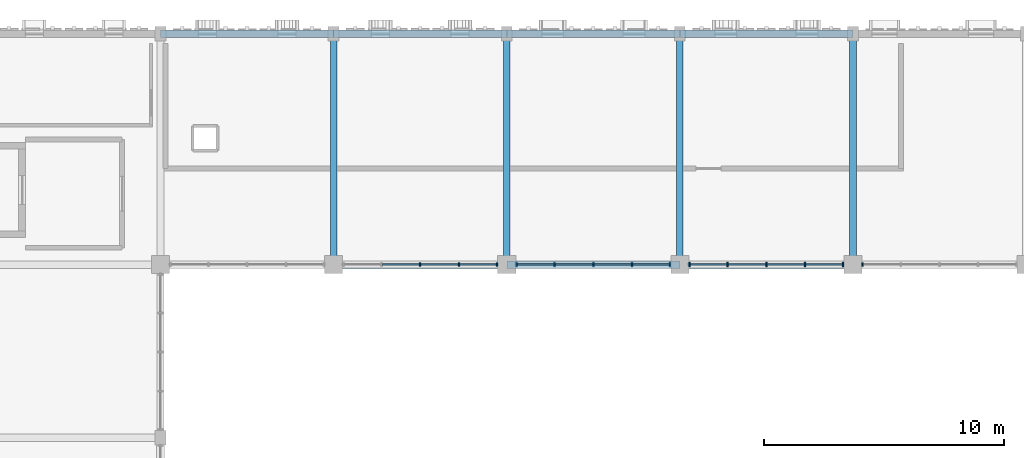
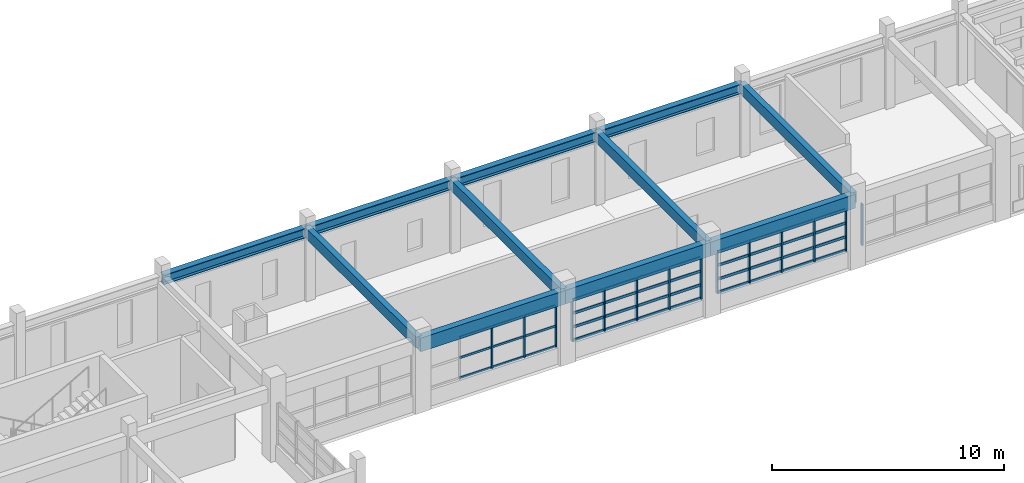
# One storey, part 24 of 69: 55 members, 11 beams, 4 elements without a shape of their own.
"""IFC4 building model written with IfcOpenShell, lengths in metres."""

import ifcopenshell
import ifcopenshell.guid

model = None  # the IFC model being written
_history = None  # IfcOwnerHistory: only IFC2X3 demands one
_inside = {}  # id of a spatial element -> (the spatial element, [elements in it])
_under = {}  # id of a project, library or spatial element -> (it, [spatial elements below it])
_declared = {}  # id of a project -> (the project, [libraries it declares])
_typed = {}  # id of a type object -> (the type object, [elements of that type])
_made_of = {}  # id of a material, layer set ... -> (it, [elements and type objects made of it])


def new_model(schema):
    """Start an empty IFC model of exactly this schema.

    Asked for "IFC4X3", IfcOpenShell would pick the latest addendum, in which some entities
    have other attributes; the version numbers below select the first issue.
    IFC2X3 requires an IfcOwnerHistory on every rooted entity: one is made here for all.
    """
    global model, _history
    if schema == "IFC4X3":
        model = ifcopenshell.file(schema_version=(4, 3, 0, 0))
    else:
        model = ifcopenshell.file(schema=schema)
    _inside.clear()
    _under.clear()
    _declared.clear()
    _typed.clear()
    _made_of.clear()
    _history = None
    if model.schema == "IFC2X3":
        org = make("IfcOrganization", Name="unknown")
        user = make(
            "IfcPersonAndOrganization",
            ThePerson=make("IfcPerson", FamilyName="unknown"),
            TheOrganization=org,
        )
        app = make(
            "IfcApplication",
            ApplicationDeveloper=org,
            Version="unknown",
            ApplicationFullName="unknown",
            ApplicationIdentifier="unknown",
        )
        _history = make(
            "IfcOwnerHistory",
            OwningUser=user,
            OwningApplication=app,
            ChangeAction="ADDED",
            CreationDate=0,
        )
    return model


def make(cls, **values):
    """One entity of the class cls with the attributes given. An attribute that is None is left unset."""
    return model.create_entity(
        cls, **{name: value for name, value in values.items() if value is not None}
    )


def rooted(cls, **values):
    """An entity with a GlobalId (a new one), such as an element, a storey or a relation."""
    return make(cls, GlobalId=ifcopenshell.guid.new(), OwnerHistory=_history, **values)


def si_unit(unit_type, name, prefix=None):
    """IfcSIUnit, for example si_unit("LENGTHUNIT", "METRE", prefix="MILLI")."""
    return make("IfcSIUnit", UnitType=unit_type, Prefix=prefix, Name=name)


def assignment(units):
    """IfcUnitAssignment: the units of a project."""
    return None if units is None else make("IfcUnitAssignment", Units=units)


def point(xyz):
    """IfcCartesianPoint."""
    return None if xyz is None else make("IfcCartesianPoint", Coordinates=xyz)


def direction(xyz):
    """IfcDirection."""
    return None if xyz is None else make("IfcDirection", DirectionRatios=xyz)


def frame(location, z_axis=None, x_axis=None):
    """IfcAxis2Placement3D, a coordinate frame: its origin and axes. An axis left out is left unset."""
    return make(
        "IfcAxis2Placement3D",
        Location=point(location),
        Axis=direction(z_axis),
        RefDirection=direction(x_axis),
    )


def frame_2d(location, x_axis=None):
    """IfcAxis2Placement2D, a coordinate frame in the plane: its origin and x axis."""
    return make(
        "IfcAxis2Placement2D", Location=point(location), RefDirection=direction(x_axis)
    )


def origin():
    """The frame at (0, 0, 0) with its axes left unset."""
    return frame((0.0, 0.0, 0.0))


def origin_2d():
    """The frame at (0, 0) in the plane with its x axis left unset."""
    return frame_2d((0.0, 0.0))


def place(relative_to, where):
    """IfcLocalPlacement: puts the frame where relative to a parent placement (None: the world)."""
    return make(
        "IfcLocalPlacement", PlacementRelTo=relative_to, RelativePlacement=where
    )


def context(
    kind, dimensions, precision=None, world=None, true_north=None, identifier=None
):
    """IfcGeometricRepresentationContext, for example the 3D "Model" context."""
    return make(
        "IfcGeometricRepresentationContext",
        ContextIdentifier=identifier,
        ContextType=kind,
        CoordinateSpaceDimension=dimensions,
        Precision=precision,
        WorldCoordinateSystem=world,
        TrueNorth=true_north,
    )


def subcontext(parent, identifier, kind, view, scale=None):
    """IfcGeometricRepresentationSubContext, for example "Body" below "Model"."""
    return make(
        "IfcGeometricRepresentationSubContext",
        ContextIdentifier=identifier,
        ContextType=kind,
        ParentContext=parent,
        TargetScale=scale,
        TargetView=view,
    )


def project(units=None, contexts=None):
    """IfcProject with its units and contexts."""
    return rooted(
        "IfcProject",
        Name="project",
        RepresentationContexts=contexts,
        UnitsInContext=assignment(units),
    )


def spatial(cls, under=None, at=None, **own):
    """A site, building, storey or space (cls), placed at a placement, below another one or the project."""
    s = rooted(cls, ObjectPlacement=at, **own)
    if under is not None:
        _under.setdefault(under.id(), (under, []))[1].append(s)
    return s


def profile(cls, at=None, kind="AREA", **sizes):
    """A parametric profile (cls). Its sizes go by their IFC names, for example OverallWidth=200.0."""
    return make(cls, ProfileType=kind, Position=at, **sizes)


def rectangle(**sizes):
    """IfcRectangleProfileDef."""
    return profile("IfcRectangleProfileDef", **sizes)


def i_section(**sizes):
    """IfcIShapeProfileDef."""
    return profile("IfcIShapeProfileDef", **sizes)


def extrude(swept, where, along, depth):
    """IfcExtrudedAreaSolid: the profile swept, set in the frame where, extruded along a direction by depth."""
    return make(
        "IfcExtrudedAreaSolid",
        SweptArea=swept,
        Position=where,
        ExtrudedDirection=direction(along),
        Depth=depth,
    )


def shape(context_of_items, identifier, shape_type, items):
    """IfcShapeRepresentation: the items that make up one representation, for example the "Body"."""
    return make(
        "IfcShapeRepresentation",
        ContextOfItems=context_of_items,
        RepresentationIdentifier=identifier,
        RepresentationType=shape_type,
        Items=items,
    )


def material(Name=None, Category=None):
    """IfcMaterial."""
    return make("IfcMaterial", Name=Name, Category=Category)


def material_profile(
    of_material, cross_section, Name=None, Category=None, Priority=None
):
    """IfcMaterialProfile: a cross section and its material."""
    return make(
        "IfcMaterialProfile",
        Name=Name,
        Material=of_material,
        Profile=cross_section,
        Priority=Priority,
        Category=Category,
    )


def profile_set(profiles, Name=None, composite=None):
    """IfcMaterialProfileSet."""
    return make(
        "IfcMaterialProfileSet",
        Name=Name,
        MaterialProfiles=profiles,
        CompositeProfile=composite,
    )


def made_of(thing, what):
    """Note that an element or type object is made of a material, layer set ...; save() writes the relation."""
    if what is not None:
        _made_of.setdefault(what.id(), (what, []))[1].append(thing)
    return thing


def type_object(cls, material=None, **own):
    """A type object (cls), such as IfcWallType, which elements share."""
    return made_of(rooted(cls, **own), material)


def element(
    cls,
    number,
    at=None,
    inside=None,
    cuts=None,
    type_object=None,
    material=None,
    context=None,
    identifier="Body",
    shape_type=None,
    held_by="IfcProductDefinitionShape",
    body=None,
    shapes=None,
    **own,
):
    """One element of the class cls, such as IfcWall. Its Tag is "e" and its number.

    at: its placement. inside: the storey or other place that contains it. cuts: it is an
    opening in that element (IfcRelVoidsElement). A single representation is given by context,
    identifier, shape_type and body (its items); several are given by shapes. held_by: the class
    of the entity that holds the representations. save() writes the other relations.
    """
    e = rooted(cls, Tag="e%d" % number, ObjectPlacement=at, **own)
    if body is not None:
        shapes = [shape(context, identifier, shape_type, body)]
    if shapes is not None:
        e.Representation = make(held_by, Representations=shapes)
    if inside is not None:
        _inside.setdefault(inside.id(), (inside, []))[1].append(e)
    if cuts is not None:
        rooted(
            "IfcRelVoidsElement", RelatingBuildingElement=cuts, RelatedOpeningElement=e
        )
    if type_object is not None:
        _typed.setdefault(type_object.id(), (type_object, []))[1].append(e)
    return made_of(e, material)


def aggregate(whole, parts):
    """IfcRelAggregates: a whole, such as a stair, and the parts it consists of."""
    return rooted("IfcRelAggregates", RelatingObject=whole, RelatedObjects=parts)


def save(model, path):
    """Write the relations noted so far, then the file.

    IfcRelAggregates (storeys below a building ...), IfcRelContainedInSpatialStructure (elements
    in a storey), IfcRelDefinesByType, IfcRelAssociatesMaterial and IfcRelDeclares: one each for
    every whole, place, type object, material and project.
    """
    for whole, parts in _under.values():
        aggregate(whole, parts)
    for where, things in _inside.values():
        rooted(
            "IfcRelContainedInSpatialStructure",
            RelatedElements=things,
            RelatingStructure=where,
        )
    for kind, things in _typed.values():
        rooted("IfcRelDefinesByType", RelatedObjects=things, RelatingType=kind)
    for what, things in _made_of.values():
        rooted("IfcRelAssociatesMaterial", RelatedObjects=things, RelatingMaterial=what)
    for by, libraries in _declared.values():
        rooted("IfcRelDeclares", RelatingContext=by, RelatedDefinitions=libraries)
    model.write(path)


model = new_model("IFC4")

# Units and contexts
model_context = context("Model", 3, precision=1e-05, world=origin(), true_north=direction((0.0, 1.0)))
body_context = subcontext(model_context, "Body", "Model", "MODEL_VIEW")
ifc_project = project(units=[si_unit("LENGTHUNIT", "METRE"), si_unit("AREAUNIT", "SQUARE_METRE"), si_unit("VOLUMEUNIT", "CUBIC_METRE"), si_unit("PLANEANGLEUNIT", "RADIAN"), si_unit("MASSUNIT", "GRAM", prefix="KILO")], contexts=[model_context])

# Site, building, storey
site_placement = place(None, origin())
site = spatial("IfcSite", under=ifc_project, at=site_placement, CompositionType="ELEMENT")
building_placement = place(site_placement, origin())
building = spatial("IfcBuilding", under=site, at=building_placement, Name="Nzembalo Square Collegiate School", CompositionType="ELEMENT")
storey_placement = place(building_placement, frame((0.0, 0.0, 5.10009765625)))
storey = spatial("IfcBuildingStorey", under=building, at=storey_placement, Name="L01", CompositionType="ELEMENT", Elevation=5.10009765625)

# Beams
ifc_material_1 = material(Name="Glulam GL32h", Category="wood")
ifc_material_profile_1 = material_profile(ifc_material_1, rectangle(XDim=0.320068359375, YDim=0.719970703125, at=origin_2d()), Name="GL32h 320x720")
ifc_profile_set_1 = profile_set([ifc_material_profile_1], Name="Glulam GL32h")
beam_type_1 = type_object("IfcBeamType", Name="B03", PredefinedType="BEAM", material=ifc_profile_set_1)
beam_1_placement = place(storey_placement, frame((98.39990234375, 104.39990234375, 3.389892578125), z_axis=(1.0, 0.0, 0.0), x_axis=(0.0, 1.0, 0.0)))
element("IfcBeam", 1, at=beam_1_placement, inside=storey, type_object=beam_type_1, Name="Beam B03 L01", PredefinedType="BEAM", context=body_context, shape_type="SweptSolid", body=[
    extrude(rectangle(XDim=0.320068359375, YDim=0.719970703125, at=origin_2d()), origin(), (0.0, 0.0, 1.0), 7.2001953125),
])
for number, where, z_axis, x_axis, name in (
    (2, (105.60009765625, 104.39990234375, 3.389892578125), (1.0, 0.0, 0.0), (0.0, 1.0, 0.0), "Beam B03 L01"),
    (3, (112.800048828125, 104.39990234375, 3.389892578125), (1.0, 0.0, 0.0), (0.0, 1.0, 0.0), "Beam B03 L01"),
):
    element("IfcBeam", number, at=place(storey_placement, frame(where, z_axis=z_axis, x_axis=x_axis)), inside=storey, type_object=beam_type_1, Name=name, PredefinedType="BEAM", context=body_context, shape_type="SweptSolid", body=[
        extrude(rectangle(XDim=0.320068359375, YDim=0.719970703125, at=origin_2d()), origin(), (0.0, 0.0, 1.0), 7.199951171875),
    ])
ifc_material_2 = material(Name="Glulam GL28h", Category="wood")
ifc_material_profile_2 = material_profile(ifc_material_2, rectangle(XDim=0.280029296875, YDim=0.56005859375, at=origin_2d()), Name="GL28h 280x560")
ifc_profile_set_2 = profile_set([ifc_material_profile_2], Name="Glulam GL28h")
beam_type_2 = type_object("IfcBeamType", Name="B05", PredefinedType="BEAM", material=ifc_profile_set_2)
for number, where, z_axis, x_axis, name in (
    (4, (98.39990234375, 104.39990234375, 3.469970703125), (0.0, 1.0, 0.0), (-1.0, 0.0, 0.0), "Beam B05 L01"),
    (5, (105.60009765625, 104.39990234375, 3.469970703125), (0.0, 1.0, 0.0), (-1.0, 0.0, 0.0), "Beam B05 L01"),
    (6, (112.800048828125, 104.39990234375, 3.469970703125), (0.0, 1.0, 0.0), (-1.0, 0.0, 0.0), "Beam B05 L01"),
    (7, (120.0, 104.39990234375, 3.469970703125), (0.0, 1.0, 0.0), (-1.0, 0.0, 0.0), "Beam B05 L01"),
):
    element("IfcBeam", number, at=place(storey_placement, frame(where, z_axis=z_axis, x_axis=x_axis)), inside=storey, type_object=beam_type_2, Name=name, PredefinedType="BEAM", context=body_context, shape_type="SweptSolid", body=[
        extrude(rectangle(XDim=0.280029296875, YDim=0.56005859375, at=origin_2d()), origin(), (0.0, 0.0, 1.0), 9.60009765625),
    ])
ifc_material_3 = material(Name="Steel S355", Category="steel")
ifc_material_profile_3 = material_profile(ifc_material_3, i_section(OverallWidth=0.300048828125, OverallDepth=0.5, WebThickness=0.014404296875, FlangeThickness=0.028076171875, at=origin_2d()), Name="HEB 500")
ifc_profile_set_3 = profile_set([ifc_material_profile_3], Name="Steel S355")
beam_type_3 = type_object("IfcBeamType", Name="B07", PredefinedType="BEAM", material=ifc_profile_set_3)
beam_2_placement = place(storey_placement, frame((91.199951171875, 114.0, 3.5), z_axis=(1.0, 0.0, 0.0), x_axis=(0.0, 1.0, 0.0)))
element("IfcBeam", 8, at=beam_2_placement, inside=storey, type_object=beam_type_3, Name="Beam B07 L01", PredefinedType="BEAM", context=body_context, shape_type="SweptSolid", body=[
    extrude(i_section(OverallWidth=0.300048828125, OverallDepth=0.5, WebThickness=0.014404296875, FlangeThickness=0.028076171875, at=origin_2d()), origin(), (0.0, 0.0, 1.0), 7.199951171875),
])
beam_3_placement = place(storey_placement, frame((98.39990234375, 114.0, 3.5), z_axis=(1.0, 0.0, 0.0), x_axis=(0.0, 1.0, 0.0)))
element("IfcBeam", 9, at=beam_3_placement, inside=storey, type_object=beam_type_3, Name="Beam B07 L01", PredefinedType="BEAM", context=body_context, shape_type="SweptSolid", body=[
    extrude(i_section(OverallWidth=0.300048828125, OverallDepth=0.5, WebThickness=0.014404296875, FlangeThickness=0.028076171875, at=origin_2d()), origin(), (0.0, 0.0, 1.0), 7.2001953125),
])
for number, where, z_axis, x_axis, name in (
    (10, (105.60009765625, 114.0, 3.5), (1.0, 0.0, 0.0), (0.0, 1.0, 0.0), "Beam B07 L01"),
    (11, (112.800048828125, 114.0, 3.5), (1.0, 0.0, 0.0), (0.0, 1.0, 0.0), "Beam B07 L01"),
):
    element("IfcBeam", number, at=place(storey_placement, frame(where, z_axis=z_axis, x_axis=x_axis)), inside=storey, type_object=beam_type_3, Name=name, PredefinedType="BEAM", context=body_context, shape_type="SweptSolid", body=[
        extrude(i_section(OverallWidth=0.300048828125, OverallDepth=0.5, WebThickness=0.014404296875, FlangeThickness=0.028076171875, at=origin_2d()), origin(), (0.0, 0.0, 1.0), 7.199951171875),
    ])

# Curtain wall, members
ifc_material_4 = material(Name="Aluminium 6060-T66", Category="aluminium")
curtain_wall_type_1 = type_object("IfcCurtainWallType", Name="CW-05", PredefinedType="USERDEFINED", material=ifc_material_4)
curtain_wall_1_placement = place(storey_placement, origin())
curtain_wall_1 = element("IfcCurtainWall", 12, at=curtain_wall_1_placement, inside=storey, type_object=curtain_wall_type_1, Name="Curtain wall CW-05 cw:L01:076", ObjectType="LANCET", PredefinedType="USERDEFINED")
ifc_material_5 = material(Name="Aluminium 6060-T66", Category="aluminium")
ifc_material_profile_4 = material_profile(ifc_material_5, rectangle(XDim=0.06005859375, YDim=0.179931640625, at=origin_2d()), Name="ALU M60x180")
ifc_profile_set_4 = profile_set([ifc_material_profile_4], Name="Aluminium 6060-T66")
member_type_1 = type_object("IfcMemberType", Name="ML01", PredefinedType="MULLION", material=ifc_profile_set_4)
member_1_placement = place(storey_placement, frame((106.007080078125, 104.39990234375, 0.849853515625), z_axis=(0.0, 0.0, 1.0), x_axis=(1.0, 0.0, 0.0)))
member_1 = element("IfcMember", 13, at=member_1_placement, type_object=member_type_1, Name="ML01 mullion 1", PredefinedType="MULLION", context=body_context, shape_type="SweptSolid", body=[
    extrude(rectangle(XDim=0.06005859375, YDim=0.179931640625, at=origin_2d()), origin(), (0.0, 0.0, 1.0), 2.174072265625),
])
member_2_placement = place(storey_placement, frame((107.58837890625, 104.39990234375, 0.849853515625), z_axis=(0.0, 0.0, 1.0), x_axis=(1.0, 0.0, 0.0)))
member_2 = element("IfcMember", 14, at=member_2_placement, type_object=member_type_1, Name="ML01 mullion 2", PredefinedType="MULLION", context=body_context, shape_type="SweptSolid", body=[
    extrude(rectangle(XDim=0.06005859375, YDim=0.179931640625, at=origin_2d()), origin(), (0.0, 0.0, 1.0), 2.174072265625),
])
member_3_placement = place(storey_placement, frame((109.199951171875, 104.39990234375, 0.849853515625), z_axis=(0.0, 0.0, 1.0), x_axis=(1.0, 0.0, 0.0)))
member_3 = element("IfcMember", 15, at=member_3_placement, type_object=member_type_1, Name="ML01 mullion 3", PredefinedType="MULLION", context=body_context, shape_type="SweptSolid", body=[
    extrude(rectangle(XDim=0.06005859375, YDim=0.179931640625, at=origin_2d()), origin(), (0.0, 0.0, 1.0), 2.174072265625),
])
member_4_placement = place(storey_placement, frame((110.8115234375, 104.39990234375, 0.849853515625), z_axis=(0.0, 0.0, 1.0), x_axis=(1.0, 0.0, 0.0)))
member_4 = element("IfcMember", 16, at=member_4_placement, type_object=member_type_1, Name="ML01 mullion 4", PredefinedType="MULLION", context=body_context, shape_type="SweptSolid", body=[
    extrude(rectangle(XDim=0.06005859375, YDim=0.179931640625, at=origin_2d()), origin(), (0.0, 0.0, 1.0), 2.174072265625),
])
member_5_placement = place(storey_placement, frame((112.39306640625, 104.39990234375, 0.849853515625), z_axis=(0.0, 0.0, 1.0), x_axis=(1.0, 0.0, 0.0)))
member_5 = element("IfcMember", 17, at=member_5_placement, type_object=member_type_1, Name="ML01 mullion 5", PredefinedType="MULLION", context=body_context, shape_type="SweptSolid", body=[
    extrude(rectangle(XDim=0.06005859375, YDim=0.179931640625, at=origin_2d()), origin(), (0.0, 0.0, 1.0), 2.174072265625),
])

ifc_material_6 = material(Name="Aluminium 6060-T66", Category="aluminium")
curtain_wall_type_2 = type_object("IfcCurtainWallType", Name="CW-06", PredefinedType="USERDEFINED", material=ifc_material_6)
curtain_wall_2_placement = place(storey_placement, origin())
curtain_wall_2 = element("IfcCurtainWall", 18, at=curtain_wall_2_placement, inside=storey, type_object=curtain_wall_type_2, Name="Curtain wall CW-06 cw:L01:077", ObjectType="LANCET", PredefinedType="USERDEFINED")
member_6_placement = place(storey_placement, frame((113.20703125, 104.39990234375, 0.849853515625), z_axis=(0.0, 0.0, 1.0), x_axis=(1.0, 0.0, 0.0)))
member_6 = element("IfcMember", 19, at=member_6_placement, type_object=member_type_1, Name="ML01 mullion 1", PredefinedType="MULLION", context=body_context, shape_type="SweptSolid", body=[
    extrude(rectangle(XDim=0.06005859375, YDim=0.179931640625, at=origin_2d()), origin(), (0.0, 0.0, 1.0), 2.174072265625),
])
member_7_placement = place(storey_placement, frame((114.78857421875, 104.39990234375, 0.849853515625), z_axis=(0.0, 0.0, 1.0), x_axis=(1.0, 0.0, 0.0)))
member_7 = element("IfcMember", 20, at=member_7_placement, type_object=member_type_1, Name="ML01 mullion 2", PredefinedType="MULLION", context=body_context, shape_type="SweptSolid", body=[
    extrude(rectangle(XDim=0.06005859375, YDim=0.179931640625, at=origin_2d()), origin(), (0.0, 0.0, 1.0), 2.174072265625),
])
member_8_placement = place(storey_placement, frame((116.39990234375, 104.39990234375, 0.849853515625), z_axis=(0.0, 0.0, 1.0), x_axis=(1.0, 0.0, 0.0)))
member_8 = element("IfcMember", 21, at=member_8_placement, type_object=member_type_1, Name="ML01 mullion 3", PredefinedType="MULLION", context=body_context, shape_type="SweptSolid", body=[
    extrude(rectangle(XDim=0.06005859375, YDim=0.179931640625, at=origin_2d()), origin(), (0.0, 0.0, 1.0), 2.174072265625),
])
member_9_placement = place(storey_placement, frame((118.011474609375, 104.39990234375, 0.849853515625), z_axis=(0.0, 0.0, 1.0), x_axis=(1.0, 0.0, 0.0)))
member_9 = element("IfcMember", 22, at=member_9_placement, type_object=member_type_1, Name="ML01 mullion 4", PredefinedType="MULLION", context=body_context, shape_type="SweptSolid", body=[
    extrude(rectangle(XDim=0.06005859375, YDim=0.179931640625, at=origin_2d()), origin(), (0.0, 0.0, 1.0), 2.174072265625),
])
member_10_placement = place(storey_placement, frame((119.593017578125, 104.39990234375, 0.849853515625), z_axis=(0.0, 0.0, 1.0), x_axis=(1.0, 0.0, 0.0)))
member_10 = element("IfcMember", 23, at=member_10_placement, type_object=member_type_1, Name="ML01 mullion 5", PredefinedType="MULLION", context=body_context, shape_type="SweptSolid", body=[
    extrude(rectangle(XDim=0.06005859375, YDim=0.179931640625, at=origin_2d()), origin(), (0.0, 0.0, 1.0), 2.174072265625),
])

ifc_material_7 = material(Name="Aluminium 6060-T66", Category="aluminium")
curtain_wall_type_3 = type_object("IfcCurtainWallType", Name="CW-04", PredefinedType="USERDEFINED", material=ifc_material_7)
curtain_wall_3_placement = place(storey_placement, origin())
curtain_wall_3 = element("IfcCurtainWall", 24, at=curtain_wall_3_placement, inside=storey, type_object=curtain_wall_type_3, Name="Curtain wall CW-04 cw:L01:075", ObjectType="UNITISED", PredefinedType="USERDEFINED")
ifc_material_8 = material(Name="Aluminium 6060-T66", Category="aluminium")
ifc_material_profile_5 = material_profile(ifc_material_8, rectangle(XDim=0.06005859375, YDim=0.14990234375, at=origin_2d()), Name="ALU M60x150")
ifc_profile_set_5 = profile_set([ifc_material_profile_5], Name="Aluminium 6060-T66")
member_type_2 = type_object("IfcMemberType", Name="ML02", PredefinedType="MULLION", material=ifc_profile_set_5)
member_11_placement = place(storey_placement, frame((102.0, 104.39990234375, 0.849853515625), z_axis=(0.0, 0.0, 1.0), x_axis=(1.0, 0.0, 0.0)))
member_11 = element("IfcMember", 25, at=member_11_placement, type_object=member_type_2, Name="ML02 mullion 3", PredefinedType="MULLION", context=body_context, shape_type="SweptSolid", body=[
    extrude(rectangle(XDim=0.06005859375, YDim=0.14990234375, at=origin_2d()), origin(), (0.0, 0.0, 1.0), 2.174072265625),
])
member_12_placement = place(storey_placement, frame((103.611572265625, 104.39990234375, 0.849853515625), z_axis=(0.0, 0.0, 1.0), x_axis=(1.0, 0.0, 0.0)))
member_12 = element("IfcMember", 26, at=member_12_placement, type_object=member_type_2, Name="ML02 mullion 4", PredefinedType="MULLION", context=body_context, shape_type="SweptSolid", body=[
    extrude(rectangle(XDim=0.06005859375, YDim=0.14990234375, at=origin_2d()), origin(), (0.0, 0.0, 1.0), 2.174072265625),
])
member_13_placement = place(storey_placement, frame((105.193115234375, 104.39990234375, 0.849853515625), z_axis=(0.0, 0.0, 1.0), x_axis=(1.0, 0.0, 0.0)))
member_13 = element("IfcMember", 27, at=member_13_placement, type_object=member_type_2, Name="ML02 mullion 5", PredefinedType="MULLION", context=body_context, shape_type="SweptSolid", body=[
    extrude(rectangle(XDim=0.06005859375, YDim=0.14990234375, at=origin_2d()), origin(), (0.0, 0.0, 1.0), 2.174072265625),
])

# Curtain wall, member
ifc_material_9 = material(Name="Aluminium 6060-T66", Category="aluminium")
curtain_wall_type_4 = type_object("IfcCurtainWallType", Name="CW-07", PredefinedType="USERDEFINED", material=ifc_material_9)
curtain_wall_4_placement = place(storey_placement, origin())
curtain_wall_4 = element("IfcCurtainWall", 28, at=curtain_wall_4_placement, inside=storey, type_object=curtain_wall_type_4, Name="Curtain wall CW-07 cw:L01:078", ObjectType="LANCET", PredefinedType="USERDEFINED")
member_14_placement = place(storey_placement, frame((120.406982421875, 104.39990234375, 0.849853515625), z_axis=(0.0, 0.0, 1.0), x_axis=(1.0, 0.0, 0.0)))
member_14 = element("IfcMember", 29, at=member_14_placement, type_object=member_type_2, Name="ML02 mullion 1", PredefinedType="MULLION", context=body_context, shape_type="SweptSolid", body=[
    extrude(rectangle(XDim=0.06005859375, YDim=0.14990234375, at=origin_2d()), origin(), (0.0, 0.0, 1.0), 2.174072265625),
])
aggregate(curtain_wall_4, [member_14])

# Member
ifc_material_10 = material(Name="Aluminium 6060-T66", Category="aluminium")
ifc_material_profile_6 = material_profile(ifc_material_10, rectangle(XDim=0.06005859375, YDim=0.139892578125, at=origin_2d()), Name="ALU T60x140")
ifc_profile_set_6 = profile_set([ifc_material_profile_6], Name="Aluminium 6060-T66")
member_type_3 = type_object("IfcMemberType", Name="TR01", PredefinedType="USERDEFINED", material=ifc_profile_set_6)
member_15_placement = place(storey_placement, frame((106.037109375, 104.39990234375, 0.8798828125), z_axis=(1.0, 0.0, 0.0), x_axis=(0.0, 1.0, 0.0)))
member_15 = element("IfcMember", 30, at=member_15_placement, type_object=member_type_3, Name="TR01 transom 1-1", ObjectType="TRANSOM", PredefinedType="USERDEFINED", context=body_context, shape_type="SweptSolid", body=[
    extrude(rectangle(XDim=0.06005859375, YDim=0.139892578125, at=origin_2d()), origin(), (0.0, 0.0, 1.0), 1.521484375),
])

member_16_placement = place(storey_placement, frame((107.618408203125, 104.39990234375, 0.8798828125), z_axis=(1.0, 0.0, 0.0), x_axis=(0.0, 1.0, 0.0)))
member_16 = element("IfcMember", 31, at=member_16_placement, type_object=member_type_3, Name="TR01 transom 1-2", ObjectType="TRANSOM", PredefinedType="USERDEFINED", context=body_context, shape_type="SweptSolid", body=[
    extrude(rectangle(XDim=0.06005859375, YDim=0.139892578125, at=origin_2d()), origin(), (0.0, 0.0, 1.0), 1.551513671875),
])

member_17_placement = place(storey_placement, frame((109.22998046875, 104.39990234375, 0.8798828125), z_axis=(1.0, 0.0, 0.0), x_axis=(0.0, 1.0, 0.0)))
member_17 = element("IfcMember", 32, at=member_17_placement, type_object=member_type_3, Name="TR01 transom 1-3", ObjectType="TRANSOM", PredefinedType="USERDEFINED", context=body_context, shape_type="SweptSolid", body=[
    extrude(rectangle(XDim=0.06005859375, YDim=0.139892578125, at=origin_2d()), origin(), (0.0, 0.0, 1.0), 1.551513671875),
])

member_18_placement = place(storey_placement, frame((110.841552734375, 104.39990234375, 0.8798828125), z_axis=(1.0, 0.0, 0.0), x_axis=(0.0, 1.0, 0.0)))
member_18 = element("IfcMember", 33, at=member_18_placement, type_object=member_type_3, Name="TR01 transom 1-4", ObjectType="TRANSOM", PredefinedType="USERDEFINED", context=body_context, shape_type="SweptSolid", body=[
    extrude(rectangle(XDim=0.06005859375, YDim=0.139892578125, at=origin_2d()), origin(), (0.0, 0.0, 1.0), 1.521484375),
])

member_19_placement = place(storey_placement, frame((106.037109375, 104.39990234375, 1.574462890625), z_axis=(1.0, 0.0, 0.0), x_axis=(0.0, 1.0, 0.0)))
member_19 = element("IfcMember", 34, at=member_19_placement, type_object=member_type_3, Name="TR01 transom 2-1", ObjectType="TRANSOM", PredefinedType="USERDEFINED", context=body_context, shape_type="SweptSolid", body=[
    extrude(rectangle(XDim=0.06005859375, YDim=0.139892578125, at=origin_2d()), origin(), (0.0, 0.0, 1.0), 1.521484375),
])

member_20_placement = place(storey_placement, frame((107.618408203125, 104.39990234375, 1.574462890625), z_axis=(1.0, 0.0, 0.0), x_axis=(0.0, 1.0, 0.0)))
member_20 = element("IfcMember", 35, at=member_20_placement, type_object=member_type_3, Name="TR01 transom 2-2", ObjectType="TRANSOM", PredefinedType="USERDEFINED", context=body_context, shape_type="SweptSolid", body=[
    extrude(rectangle(XDim=0.06005859375, YDim=0.139892578125, at=origin_2d()), origin(), (0.0, 0.0, 1.0), 1.551513671875),
])

member_21_placement = place(storey_placement, frame((109.22998046875, 104.39990234375, 1.574462890625), z_axis=(1.0, 0.0, 0.0), x_axis=(0.0, 1.0, 0.0)))
member_21 = element("IfcMember", 36, at=member_21_placement, type_object=member_type_3, Name="TR01 transom 2-3", ObjectType="TRANSOM", PredefinedType="USERDEFINED", context=body_context, shape_type="SweptSolid", body=[
    extrude(rectangle(XDim=0.06005859375, YDim=0.139892578125, at=origin_2d()), origin(), (0.0, 0.0, 1.0), 1.551513671875),
])

member_22_placement = place(storey_placement, frame((110.841552734375, 104.39990234375, 1.574462890625), z_axis=(1.0, 0.0, 0.0), x_axis=(0.0, 1.0, 0.0)))
member_22 = element("IfcMember", 37, at=member_22_placement, type_object=member_type_3, Name="TR01 transom 2-4", ObjectType="TRANSOM", PredefinedType="USERDEFINED", context=body_context, shape_type="SweptSolid", body=[
    extrude(rectangle(XDim=0.06005859375, YDim=0.139892578125, at=origin_2d()), origin(), (0.0, 0.0, 1.0), 1.521484375),
])

member_23_placement = place(storey_placement, frame((106.037109375, 104.39990234375, 2.29931640625), z_axis=(1.0, 0.0, 0.0), x_axis=(0.0, 1.0, 0.0)))
member_23 = element("IfcMember", 38, at=member_23_placement, type_object=member_type_3, Name="TR01 transom 3-1", ObjectType="TRANSOM", PredefinedType="USERDEFINED", context=body_context, shape_type="SweptSolid", body=[
    extrude(rectangle(XDim=0.06005859375, YDim=0.139892578125, at=origin_2d()), origin(), (0.0, 0.0, 1.0), 1.521484375),
])

member_24_placement = place(storey_placement, frame((107.618408203125, 104.39990234375, 2.29931640625), z_axis=(1.0, 0.0, 0.0), x_axis=(0.0, 1.0, 0.0)))
member_24 = element("IfcMember", 39, at=member_24_placement, type_object=member_type_3, Name="TR01 transom 3-2", ObjectType="TRANSOM", PredefinedType="USERDEFINED", context=body_context, shape_type="SweptSolid", body=[
    extrude(rectangle(XDim=0.06005859375, YDim=0.139892578125, at=origin_2d()), origin(), (0.0, 0.0, 1.0), 1.551513671875),
])

member_25_placement = place(storey_placement, frame((109.22998046875, 104.39990234375, 2.29931640625), z_axis=(1.0, 0.0, 0.0), x_axis=(0.0, 1.0, 0.0)))
member_25 = element("IfcMember", 40, at=member_25_placement, type_object=member_type_3, Name="TR01 transom 3-3", ObjectType="TRANSOM", PredefinedType="USERDEFINED", context=body_context, shape_type="SweptSolid", body=[
    extrude(rectangle(XDim=0.06005859375, YDim=0.139892578125, at=origin_2d()), origin(), (0.0, 0.0, 1.0), 1.551513671875),
])

member_26_placement = place(storey_placement, frame((110.841552734375, 104.39990234375, 2.29931640625), z_axis=(1.0, 0.0, 0.0), x_axis=(0.0, 1.0, 0.0)))
member_26 = element("IfcMember", 41, at=member_26_placement, type_object=member_type_3, Name="TR01 transom 3-4", ObjectType="TRANSOM", PredefinedType="USERDEFINED", context=body_context, shape_type="SweptSolid", body=[
    extrude(rectangle(XDim=0.06005859375, YDim=0.139892578125, at=origin_2d()), origin(), (0.0, 0.0, 1.0), 1.521484375),
])

member_27_placement = place(storey_placement, frame((106.037109375, 104.39990234375, 2.993896484375), z_axis=(1.0, 0.0, 0.0), x_axis=(0.0, 1.0, 0.0)))
member_27 = element("IfcMember", 42, at=member_27_placement, type_object=member_type_3, Name="TR01 transom 4-1", ObjectType="TRANSOM", PredefinedType="USERDEFINED", context=body_context, shape_type="SweptSolid", body=[
    extrude(rectangle(XDim=0.06005859375, YDim=0.139892578125, at=origin_2d()), origin(), (0.0, 0.0, 1.0), 1.521484375),
])

member_28_placement = place(storey_placement, frame((107.618408203125, 104.39990234375, 2.993896484375), z_axis=(1.0, 0.0, 0.0), x_axis=(0.0, 1.0, 0.0)))
member_28 = element("IfcMember", 43, at=member_28_placement, type_object=member_type_3, Name="TR01 transom 4-2", ObjectType="TRANSOM", PredefinedType="USERDEFINED", context=body_context, shape_type="SweptSolid", body=[
    extrude(rectangle(XDim=0.06005859375, YDim=0.139892578125, at=origin_2d()), origin(), (0.0, 0.0, 1.0), 1.551513671875),
])

member_29_placement = place(storey_placement, frame((109.22998046875, 104.39990234375, 2.993896484375), z_axis=(1.0, 0.0, 0.0), x_axis=(0.0, 1.0, 0.0)))
member_29 = element("IfcMember", 44, at=member_29_placement, type_object=member_type_3, Name="TR01 transom 4-3", ObjectType="TRANSOM", PredefinedType="USERDEFINED", context=body_context, shape_type="SweptSolid", body=[
    extrude(rectangle(XDim=0.06005859375, YDim=0.139892578125, at=origin_2d()), origin(), (0.0, 0.0, 1.0), 1.551513671875),
])

member_30_placement = place(storey_placement, frame((110.841552734375, 104.39990234375, 2.993896484375), z_axis=(1.0, 0.0, 0.0), x_axis=(0.0, 1.0, 0.0)))
member_30 = element("IfcMember", 45, at=member_30_placement, type_object=member_type_3, Name="TR01 transom 4-4", ObjectType="TRANSOM", PredefinedType="USERDEFINED", context=body_context, shape_type="SweptSolid", body=[
    extrude(rectangle(XDim=0.06005859375, YDim=0.139892578125, at=origin_2d()), origin(), (0.0, 0.0, 1.0), 1.521484375),
])

aggregate(curtain_wall_1, [member_1, member_2, member_3, member_4, member_5, member_15, member_16, member_17, member_18, member_19, member_20, member_21, member_22, member_23, member_24, member_25, member_26, member_27, member_28, member_29, member_30])

member_31_placement = place(storey_placement, frame((113.237060546875, 104.39990234375, 0.8798828125), z_axis=(1.0, 0.0, 0.0), x_axis=(0.0, 1.0, 0.0)))
member_31 = element("IfcMember", 46, at=member_31_placement, type_object=member_type_3, Name="TR01 transom 1-1", ObjectType="TRANSOM", PredefinedType="USERDEFINED", context=body_context, shape_type="SweptSolid", body=[
    extrude(rectangle(XDim=0.06005859375, YDim=0.139892578125, at=origin_2d()), origin(), (0.0, 0.0, 1.0), 1.521484375),
])

member_32_placement = place(storey_placement, frame((114.818603515625, 104.39990234375, 0.8798828125), z_axis=(1.0, 0.0, 0.0), x_axis=(0.0, 1.0, 0.0)))
member_32 = element("IfcMember", 47, at=member_32_placement, type_object=member_type_3, Name="TR01 transom 1-2", ObjectType="TRANSOM", PredefinedType="USERDEFINED", context=body_context, shape_type="SweptSolid", body=[
    extrude(rectangle(XDim=0.06005859375, YDim=0.139892578125, at=origin_2d()), origin(), (0.0, 0.0, 1.0), 1.551513671875),
])

member_33_placement = place(storey_placement, frame((116.429931640625, 104.39990234375, 0.8798828125), z_axis=(1.0, 0.0, 0.0), x_axis=(0.0, 1.0, 0.0)))
member_33 = element("IfcMember", 48, at=member_33_placement, type_object=member_type_3, Name="TR01 transom 1-3", ObjectType="TRANSOM", PredefinedType="USERDEFINED", context=body_context, shape_type="SweptSolid", body=[
    extrude(rectangle(XDim=0.06005859375, YDim=0.139892578125, at=origin_2d()), origin(), (0.0, 0.0, 1.0), 1.551513671875),
])

member_34_placement = place(storey_placement, frame((118.04150390625, 104.39990234375, 0.8798828125), z_axis=(1.0, 0.0, 0.0), x_axis=(0.0, 1.0, 0.0)))
member_34 = element("IfcMember", 49, at=member_34_placement, type_object=member_type_3, Name="TR01 transom 1-4", ObjectType="TRANSOM", PredefinedType="USERDEFINED", context=body_context, shape_type="SweptSolid", body=[
    extrude(rectangle(XDim=0.06005859375, YDim=0.139892578125, at=origin_2d()), origin(), (0.0, 0.0, 1.0), 1.521484375),
])

member_35_placement = place(storey_placement, frame((113.237060546875, 104.39990234375, 1.574462890625), z_axis=(1.0, 0.0, 0.0), x_axis=(0.0, 1.0, 0.0)))
member_35 = element("IfcMember", 50, at=member_35_placement, type_object=member_type_3, Name="TR01 transom 2-1", ObjectType="TRANSOM", PredefinedType="USERDEFINED", context=body_context, shape_type="SweptSolid", body=[
    extrude(rectangle(XDim=0.06005859375, YDim=0.139892578125, at=origin_2d()), origin(), (0.0, 0.0, 1.0), 1.521484375),
])

member_36_placement = place(storey_placement, frame((114.818603515625, 104.39990234375, 1.574462890625), z_axis=(1.0, 0.0, 0.0), x_axis=(0.0, 1.0, 0.0)))
member_36 = element("IfcMember", 51, at=member_36_placement, type_object=member_type_3, Name="TR01 transom 2-2", ObjectType="TRANSOM", PredefinedType="USERDEFINED", context=body_context, shape_type="SweptSolid", body=[
    extrude(rectangle(XDim=0.06005859375, YDim=0.139892578125, at=origin_2d()), origin(), (0.0, 0.0, 1.0), 1.551513671875),
])

member_37_placement = place(storey_placement, frame((116.429931640625, 104.39990234375, 1.574462890625), z_axis=(1.0, 0.0, 0.0), x_axis=(0.0, 1.0, 0.0)))
member_37 = element("IfcMember", 52, at=member_37_placement, type_object=member_type_3, Name="TR01 transom 2-3", ObjectType="TRANSOM", PredefinedType="USERDEFINED", context=body_context, shape_type="SweptSolid", body=[
    extrude(rectangle(XDim=0.06005859375, YDim=0.139892578125, at=origin_2d()), origin(), (0.0, 0.0, 1.0), 1.551513671875),
])

member_38_placement = place(storey_placement, frame((118.04150390625, 104.39990234375, 1.574462890625), z_axis=(1.0, 0.0, 0.0), x_axis=(0.0, 1.0, 0.0)))
member_38 = element("IfcMember", 53, at=member_38_placement, type_object=member_type_3, Name="TR01 transom 2-4", ObjectType="TRANSOM", PredefinedType="USERDEFINED", context=body_context, shape_type="SweptSolid", body=[
    extrude(rectangle(XDim=0.06005859375, YDim=0.139892578125, at=origin_2d()), origin(), (0.0, 0.0, 1.0), 1.521484375),
])

member_39_placement = place(storey_placement, frame((113.237060546875, 104.39990234375, 2.29931640625), z_axis=(1.0, 0.0, 0.0), x_axis=(0.0, 1.0, 0.0)))
member_39 = element("IfcMember", 54, at=member_39_placement, type_object=member_type_3, Name="TR01 transom 3-1", ObjectType="TRANSOM", PredefinedType="USERDEFINED", context=body_context, shape_type="SweptSolid", body=[
    extrude(rectangle(XDim=0.06005859375, YDim=0.139892578125, at=origin_2d()), origin(), (0.0, 0.0, 1.0), 1.521484375),
])

member_40_placement = place(storey_placement, frame((114.818603515625, 104.39990234375, 2.29931640625), z_axis=(1.0, 0.0, 0.0), x_axis=(0.0, 1.0, 0.0)))
member_40 = element("IfcMember", 55, at=member_40_placement, type_object=member_type_3, Name="TR01 transom 3-2", ObjectType="TRANSOM", PredefinedType="USERDEFINED", context=body_context, shape_type="SweptSolid", body=[
    extrude(rectangle(XDim=0.06005859375, YDim=0.139892578125, at=origin_2d()), origin(), (0.0, 0.0, 1.0), 1.551513671875),
])

member_41_placement = place(storey_placement, frame((116.429931640625, 104.39990234375, 2.29931640625), z_axis=(1.0, 0.0, 0.0), x_axis=(0.0, 1.0, 0.0)))
member_41 = element("IfcMember", 56, at=member_41_placement, type_object=member_type_3, Name="TR01 transom 3-3", ObjectType="TRANSOM", PredefinedType="USERDEFINED", context=body_context, shape_type="SweptSolid", body=[
    extrude(rectangle(XDim=0.06005859375, YDim=0.139892578125, at=origin_2d()), origin(), (0.0, 0.0, 1.0), 1.551513671875),
])

member_42_placement = place(storey_placement, frame((118.04150390625, 104.39990234375, 2.29931640625), z_axis=(1.0, 0.0, 0.0), x_axis=(0.0, 1.0, 0.0)))
member_42 = element("IfcMember", 57, at=member_42_placement, type_object=member_type_3, Name="TR01 transom 3-4", ObjectType="TRANSOM", PredefinedType="USERDEFINED", context=body_context, shape_type="SweptSolid", body=[
    extrude(rectangle(XDim=0.06005859375, YDim=0.139892578125, at=origin_2d()), origin(), (0.0, 0.0, 1.0), 1.521484375),
])

member_43_placement = place(storey_placement, frame((113.237060546875, 104.39990234375, 2.993896484375), z_axis=(1.0, 0.0, 0.0), x_axis=(0.0, 1.0, 0.0)))
member_43 = element("IfcMember", 58, at=member_43_placement, type_object=member_type_3, Name="TR01 transom 4-1", ObjectType="TRANSOM", PredefinedType="USERDEFINED", context=body_context, shape_type="SweptSolid", body=[
    extrude(rectangle(XDim=0.06005859375, YDim=0.139892578125, at=origin_2d()), origin(), (0.0, 0.0, 1.0), 1.521484375),
])

member_44_placement = place(storey_placement, frame((114.818603515625, 104.39990234375, 2.993896484375), z_axis=(1.0, 0.0, 0.0), x_axis=(0.0, 1.0, 0.0)))
member_44 = element("IfcMember", 59, at=member_44_placement, type_object=member_type_3, Name="TR01 transom 4-2", ObjectType="TRANSOM", PredefinedType="USERDEFINED", context=body_context, shape_type="SweptSolid", body=[
    extrude(rectangle(XDim=0.06005859375, YDim=0.139892578125, at=origin_2d()), origin(), (0.0, 0.0, 1.0), 1.551513671875),
])

member_45_placement = place(storey_placement, frame((116.429931640625, 104.39990234375, 2.993896484375), z_axis=(1.0, 0.0, 0.0), x_axis=(0.0, 1.0, 0.0)))
member_45 = element("IfcMember", 60, at=member_45_placement, type_object=member_type_3, Name="TR01 transom 4-3", ObjectType="TRANSOM", PredefinedType="USERDEFINED", context=body_context, shape_type="SweptSolid", body=[
    extrude(rectangle(XDim=0.06005859375, YDim=0.139892578125, at=origin_2d()), origin(), (0.0, 0.0, 1.0), 1.551513671875),
])

member_46_placement = place(storey_placement, frame((118.04150390625, 104.39990234375, 2.993896484375), z_axis=(1.0, 0.0, 0.0), x_axis=(0.0, 1.0, 0.0)))
member_46 = element("IfcMember", 61, at=member_46_placement, type_object=member_type_3, Name="TR01 transom 4-4", ObjectType="TRANSOM", PredefinedType="USERDEFINED", context=body_context, shape_type="SweptSolid", body=[
    extrude(rectangle(XDim=0.06005859375, YDim=0.139892578125, at=origin_2d()), origin(), (0.0, 0.0, 1.0), 1.521484375),
])

aggregate(curtain_wall_2, [member_6, member_7, member_8, member_9, member_10, member_31, member_32, member_33, member_34, member_35, member_36, member_37, member_38, member_39, member_40, member_41, member_42, member_43, member_44, member_45, member_46])

ifc_material_11 = material(Name="Aluminium 6060-T66", Category="aluminium")
ifc_material_profile_7 = material_profile(ifc_material_11, rectangle(XDim=0.06005859375, YDim=0.110107421875, at=origin_2d()), Name="ALU T60x110")
ifc_profile_set_7 = profile_set([ifc_material_profile_7], Name="Aluminium 6060-T66")
member_type_4 = type_object("IfcMemberType", Name="TR02", PredefinedType="USERDEFINED", material=ifc_profile_set_7)
member_47_placement = place(storey_placement, frame((100.41845703125, 104.39990234375, 0.8798828125), z_axis=(1.0, 0.0, 0.0), x_axis=(0.0, 1.0, 0.0)))
member_47 = element("IfcMember", 62, at=member_47_placement, type_object=member_type_4, Name="TR02 transom 1-2", ObjectType="TRANSOM", PredefinedType="USERDEFINED", context=body_context, shape_type="SweptSolid", body=[
    extrude(rectangle(XDim=0.06005859375, YDim=0.110107421875, at=origin_2d()), origin(), (0.0, 0.0, 1.0), 1.551513671875),
])

member_48_placement = place(storey_placement, frame((102.030029296875, 104.39990234375, 0.8798828125), z_axis=(1.0, 0.0, 0.0), x_axis=(0.0, 1.0, 0.0)))
member_48 = element("IfcMember", 63, at=member_48_placement, type_object=member_type_4, Name="TR02 transom 1-3", ObjectType="TRANSOM", PredefinedType="USERDEFINED", context=body_context, shape_type="SweptSolid", body=[
    extrude(rectangle(XDim=0.06005859375, YDim=0.110107421875, at=origin_2d()), origin(), (0.0, 0.0, 1.0), 1.551513671875),
])

member_49_placement = place(storey_placement, frame((103.6416015625, 104.39990234375, 0.8798828125), z_axis=(1.0, 0.0, 0.0), x_axis=(0.0, 1.0, 0.0)))
member_49 = element("IfcMember", 64, at=member_49_placement, type_object=member_type_4, Name="TR02 transom 1-4", ObjectType="TRANSOM", PredefinedType="USERDEFINED", context=body_context, shape_type="SweptSolid", body=[
    extrude(rectangle(XDim=0.06005859375, YDim=0.110107421875, at=origin_2d()), origin(), (0.0, 0.0, 1.0), 1.521484375),
])

member_50_placement = place(storey_placement, frame((100.41845703125, 104.39990234375, 1.93701171875), z_axis=(1.0, 0.0, 0.0), x_axis=(0.0, 1.0, 0.0)))
member_50 = element("IfcMember", 65, at=member_50_placement, type_object=member_type_4, Name="TR02 transom 2-2", ObjectType="TRANSOM", PredefinedType="USERDEFINED", context=body_context, shape_type="SweptSolid", body=[
    extrude(rectangle(XDim=0.06005859375, YDim=0.110107421875, at=origin_2d()), origin(), (0.0, 0.0, 1.0), 1.551513671875),
])

member_51_placement = place(storey_placement, frame((102.030029296875, 104.39990234375, 1.93701171875), z_axis=(1.0, 0.0, 0.0), x_axis=(0.0, 1.0, 0.0)))
member_51 = element("IfcMember", 66, at=member_51_placement, type_object=member_type_4, Name="TR02 transom 2-3", ObjectType="TRANSOM", PredefinedType="USERDEFINED", context=body_context, shape_type="SweptSolid", body=[
    extrude(rectangle(XDim=0.06005859375, YDim=0.110107421875, at=origin_2d()), origin(), (0.0, 0.0, 1.0), 1.551513671875),
])

member_52_placement = place(storey_placement, frame((103.6416015625, 104.39990234375, 1.93701171875), z_axis=(1.0, 0.0, 0.0), x_axis=(0.0, 1.0, 0.0)))
member_52 = element("IfcMember", 67, at=member_52_placement, type_object=member_type_4, Name="TR02 transom 2-4", ObjectType="TRANSOM", PredefinedType="USERDEFINED", context=body_context, shape_type="SweptSolid", body=[
    extrude(rectangle(XDim=0.06005859375, YDim=0.110107421875, at=origin_2d()), origin(), (0.0, 0.0, 1.0), 1.521484375),
])

member_53_placement = place(storey_placement, frame((100.41845703125, 104.39990234375, 2.993896484375), z_axis=(1.0, 0.0, 0.0), x_axis=(0.0, 1.0, 0.0)))
member_53 = element("IfcMember", 68, at=member_53_placement, type_object=member_type_4, Name="TR02 transom 3-2", ObjectType="TRANSOM", PredefinedType="USERDEFINED", context=body_context, shape_type="SweptSolid", body=[
    extrude(rectangle(XDim=0.06005859375, YDim=0.110107421875, at=origin_2d()), origin(), (0.0, 0.0, 1.0), 1.551513671875),
])

member_54_placement = place(storey_placement, frame((102.030029296875, 104.39990234375, 2.993896484375), z_axis=(1.0, 0.0, 0.0), x_axis=(0.0, 1.0, 0.0)))
member_54 = element("IfcMember", 69, at=member_54_placement, type_object=member_type_4, Name="TR02 transom 3-3", ObjectType="TRANSOM", PredefinedType="USERDEFINED", context=body_context, shape_type="SweptSolid", body=[
    extrude(rectangle(XDim=0.06005859375, YDim=0.110107421875, at=origin_2d()), origin(), (0.0, 0.0, 1.0), 1.551513671875),
])

member_55_placement = place(storey_placement, frame((103.6416015625, 104.39990234375, 2.993896484375), z_axis=(1.0, 0.0, 0.0), x_axis=(0.0, 1.0, 0.0)))
member_55 = element("IfcMember", 70, at=member_55_placement, type_object=member_type_4, Name="TR02 transom 3-4", ObjectType="TRANSOM", PredefinedType="USERDEFINED", context=body_context, shape_type="SweptSolid", body=[
    extrude(rectangle(XDim=0.06005859375, YDim=0.110107421875, at=origin_2d()), origin(), (0.0, 0.0, 1.0), 1.521484375),
])

aggregate(curtain_wall_3, [member_11, member_12, member_13, member_47, member_48, member_49, member_50, member_51, member_52, member_53, member_54, member_55])

save(model, "model.ifc")
